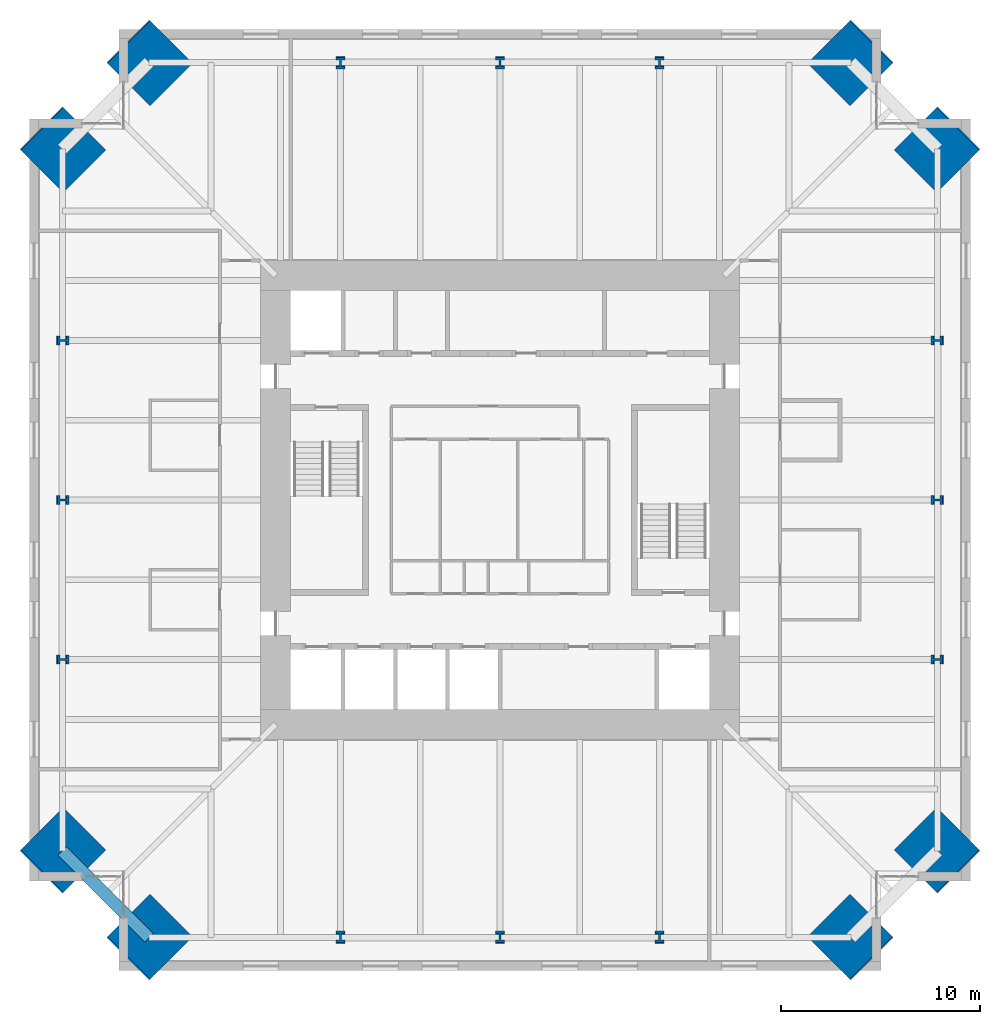
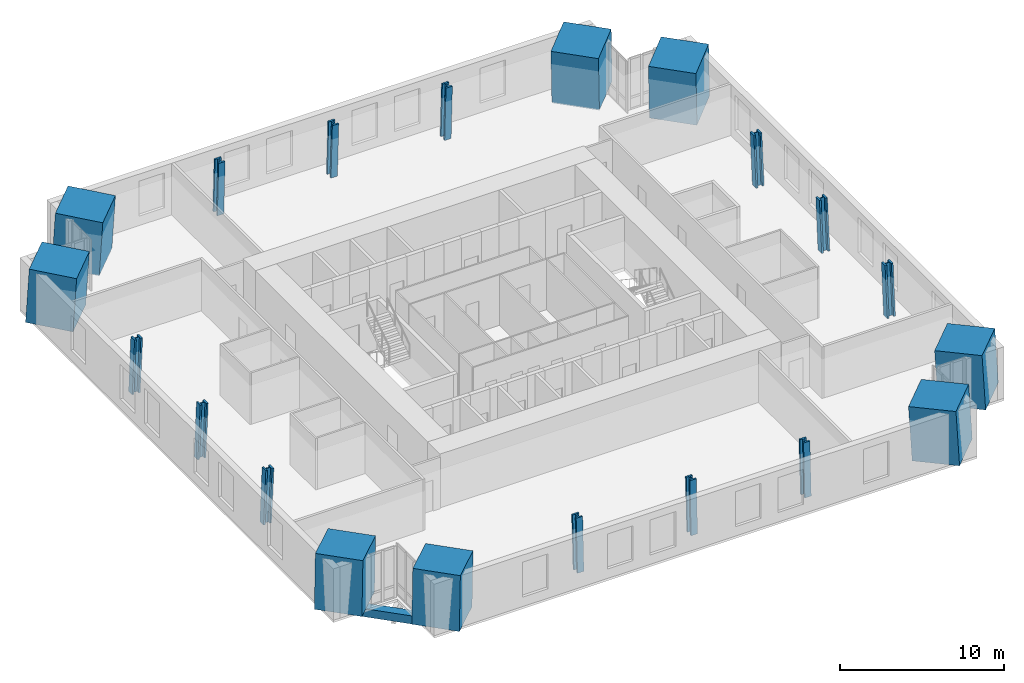
# One storey, part 1 of 14: 20 columns, 1 beam.
"""IFC4 building model written with IfcOpenShell, lengths in metres."""

from ifc_helpers import new_model, si_unit, direction, frame, origin, origin_2d, place, context, subcontext, project, spatial, rectangle, hollow_rectangle, i_section, extrude, material, material_profile, profile_set, type_object, element, save


model = new_model("IFC4")

# Units and contexts
model_context = context("Model", 3, precision=1e-05, world=origin(), true_north=direction((0.0, 1.0)))
body_context = subcontext(model_context, "Body", "Model", "MODEL_VIEW")
ifc_project = project(units=[si_unit("LENGTHUNIT", "METRE"), si_unit("AREAUNIT", "SQUARE_METRE"), si_unit("VOLUMEUNIT", "CUBIC_METRE"), si_unit("PLANEANGLEUNIT", "RADIAN"), si_unit("MASSUNIT", "GRAM", prefix="KILO")], contexts=[model_context])

# Site, building, storey
site_placement = place(None, origin())
site = spatial("IfcSite", under=ifc_project, at=site_placement, CompositionType="ELEMENT")
building_placement = place(site_placement, origin())
building = spatial("IfcBuilding", under=site, at=building_placement, Name="Peilmerk Tower", CompositionType="ELEMENT")
storey_placement = place(building_placement, frame((0.0, 0.0, 221.800048828125)))
storey = spatial("IfcBuildingStorey", under=building, at=storey_placement, Name="L48", CompositionType="ELEMENT", Elevation=221.800048828125)

# Columns
ifc_material_1 = material(Name="Concrete C90/105", Category="concrete")
ifc_material_profile_1 = material_profile(ifc_material_1, rectangle(XDim=3.0, YDim=3.0, at=origin_2d()), Name="RC 3000x3000")
ifc_profile_set_1 = profile_set([ifc_material_profile_1], Name="Concrete C90/105")
column_type_1 = type_object("IfcColumnType", Name="MC3 3000x3000 encased mega column", PredefinedType="COLUMN", material=ifc_profile_set_1)
for number, where, z_axis, x_axis, name in (
    (1, (17.603271484375, 21.953125, 0.0), (-0.040278830354, -0.040217894151, 0.998378754189), (0.706571297296, -0.707641859868, 0.0), "Mega column MC3 NE_N L48"),
    (2, (21.953125, 17.603271484375, 0.0), (-0.040217894151, -0.040278830354, 0.998378754189), (0.707641859868, -0.706571297296, 0.0), "Mega column MC3 NE_E L48"),
    (3, (21.953125, -17.603271484375, 0.0), (-0.040217894151, 0.040278830354, 0.998378754189), (-0.707641859868, -0.706571297296, 0.0), "Mega column MC3 SE_E L48"),
    (4, (17.603271484375, -21.953125, 0.0), (-0.040278830354, 0.040217894151, 0.998378754189), (-0.706571297296, -0.707641859868, 0.0), "Mega column MC3 SE_S L48"),
    (5, (-17.603271484375, -21.953125, 0.0), (0.040278830354, 0.040217894151, 0.998378754189), (-0.706571297296, 0.707641859868, 0.0), "Mega column MC3 SW_S L48"),
    (6, (-21.953125, -17.603271484375, 0.0), (0.040217894151, 0.040278830354, 0.998378754189), (-0.707641859868, 0.706571297296, 0.0), "Mega column MC3 SW_W L48"),
    (7, (-21.953125, 17.603271484375, 0.0), (0.040217894151, -0.040278830354, 0.998378754189), (0.707641859868, 0.706571297296, 0.0), "Mega column MC3 NW_W L48"),
    (8, (-17.603271484375, 21.953125, 0.0), (0.040278830354, -0.040217894151, 0.998378754189), (0.706571297296, 0.707641859868, 0.0), "Mega column MC3 NW_N L48"),
):
    element("IfcColumn", number, at=place(storey_placement, frame(where, z_axis=z_axis, x_axis=x_axis)), inside=storey, type_object=column_type_1, Name=name, PredefinedType="COLUMN", context=body_context, shape_type="SweptSolid", body=[
        extrude(rectangle(XDim=3.0, YDim=3.0, at=origin_2d()), origin(), (0.0, 0.0, 1.0), 4.006591796875),
    ])
ifc_material_2 = material(Name="Steel S460", Category="steel")
ifc_material_profile_2 = material_profile(ifc_material_2, i_section(OverallWidth=0.4541015625, OverallDepth=0.569091796875, WebThickness=0.077880859375, FlangeThickness=0.125, at=origin_2d()), Name="HD 400x1086")
ifc_profile_set_2 = profile_set([ifc_material_profile_2], Name="Steel S460")
column_type_2 = type_object("IfcColumnType", Name="SC6 HD 400x1086 interior column", PredefinedType="COLUMN", material=ifc_profile_set_2)
for number, where, z_axis, x_axis, name in (
    (9, (0.0, 21.953125, 0.0), (0.0, -0.040250558339, 0.999189617917), (1.0, 0.0, 0.0), "Perimeter column N+0 L48"),
    (10, (8.0, 21.953125, 0.0), (0.0, -0.040250558339, 0.999189617917), (1.0, 0.0, 0.0), "Perimeter column N-8 L48"),
    (11, (-8.0, 21.953125, 0.0), (0.0, -0.040250558339, 0.999189617917), (1.0, 0.0, 0.0), "Perimeter column N+8 L48"),
    (12, (21.953125, 0.0, 0.0), (-0.040250558339, 0.0, 0.999189617917), (0.0, -1.0, 0.0), "Perimeter column E+0 L48"),
    (13, (21.953125, -8.0, 0.0), (-0.040250558339, 0.0, 0.999189617917), (0.0, -1.0, 0.0), "Perimeter column E-8 L48"),
    (14, (21.953125, 8.0, 0.0), (-0.040250558339, 0.0, 0.999189617917), (0.0, -1.0, 0.0), "Perimeter column E+8 L48"),
    (15, (0.0, -21.953125, 0.0), (0.0, 0.040250558339, 0.999189617917), (-1.0, 0.0, 0.0), "Perimeter column S+0 L48"),
    (16, (-8.0, -21.953125, 0.0), (0.0, 0.040250558339, 0.999189617917), (-1.0, 0.0, 0.0), "Perimeter column S-8 L48"),
    (17, (8.0, -21.953125, 0.0), (0.0, 0.040250558339, 0.999189617917), (-1.0, 0.0, 0.0), "Perimeter column S+8 L48"),
    (18, (-21.953125, 0.0, 0.0), (0.040250558339, 0.0, 0.999189617917), (0.0, 1.0, 0.0), "Perimeter column W+0 L48"),
    (19, (-21.953125, 8.0, 0.0), (0.040250558339, 0.0, 0.999189617917), (0.0, 1.0, 0.0), "Perimeter column W-8 L48"),
    (20, (-21.953125, -8.0, 0.0), (0.040250558339, 0.0, 0.999189617917), (0.0, 1.0, 0.0), "Perimeter column W+8 L48"),
):
    element("IfcColumn", number, at=place(storey_placement, frame(where, z_axis=z_axis, x_axis=x_axis)), inside=storey, type_object=column_type_2, Name=name, PredefinedType="COLUMN", context=body_context, shape_type="SweptSolid", body=[
        extrude(i_section(OverallWidth=0.4541015625, OverallDepth=0.569091796875, WebThickness=0.077880859375, FlangeThickness=0.125, at=origin_2d()), origin(), (0.0, 0.0, 1.0), 4.003173828125),
    ])

# Beam
ifc_material_profile_3 = material_profile(ifc_material_2, hollow_rectangle(XDim=0.60009765625, YDim=0.60009765625, WallThickness=0.06005859375, at=origin_2d()), Name="BOX 600x600x60")
ifc_profile_set_3 = profile_set([ifc_material_profile_3], Name="Steel S460")
beam_type = type_object("IfcBeamType", Name="B20 BOX 600x600x60 notch beam", PredefinedType="SPANDREL", material=ifc_profile_set_3)
beam_placement = place(storey_placement, frame((-17.603271484375, -21.953125, -0.469970703125), z_axis=(-0.707106781187, 0.707106781187, 0.0), x_axis=(-0.707106781187, -0.707106781187, 0.0)))
element("IfcBeam", 21, at=beam_placement, inside=storey, type_object=beam_type, Name="Notch beam L48", PredefinedType="SPANDREL", context=body_context, shape_type="SweptSolid", body=[
    extrude(hollow_rectangle(XDim=0.60009765625, YDim=0.60009765625, WallThickness=0.06005859375, at=origin_2d()), origin(), (0.0, 0.0, 1.0), 6.151611328125),
])

save(model, "model.ifc")
